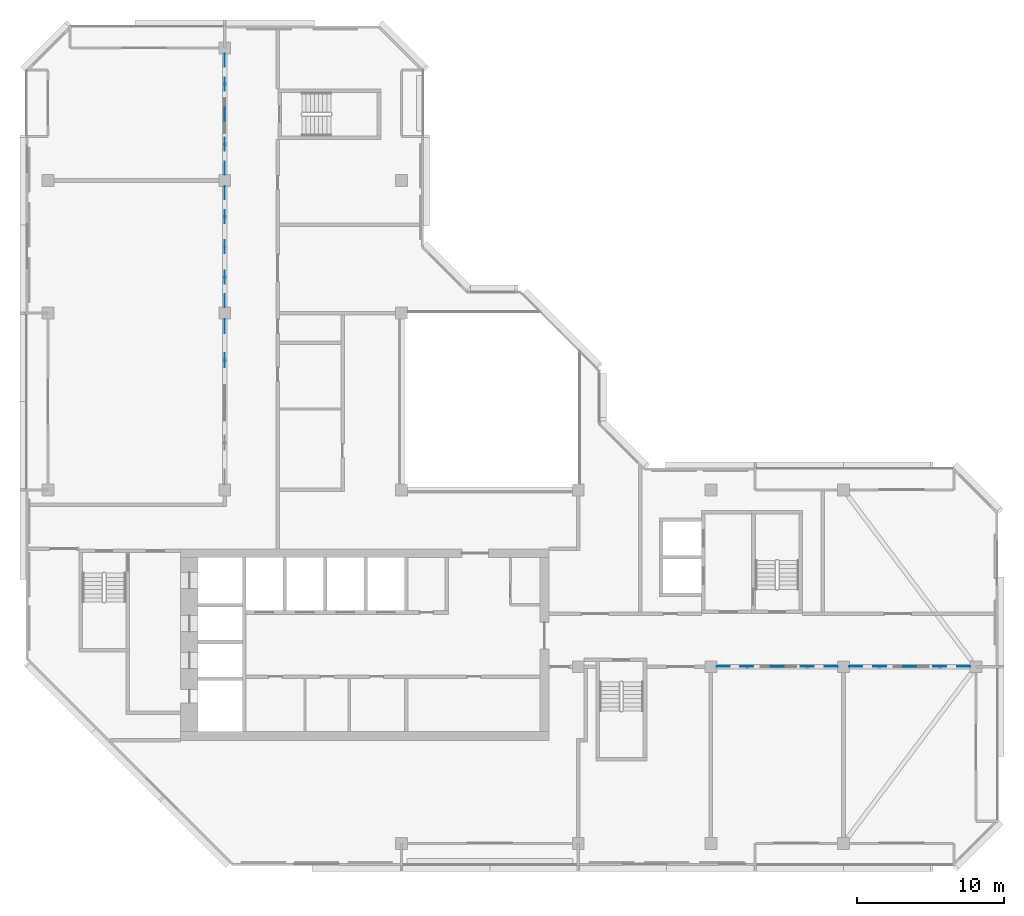
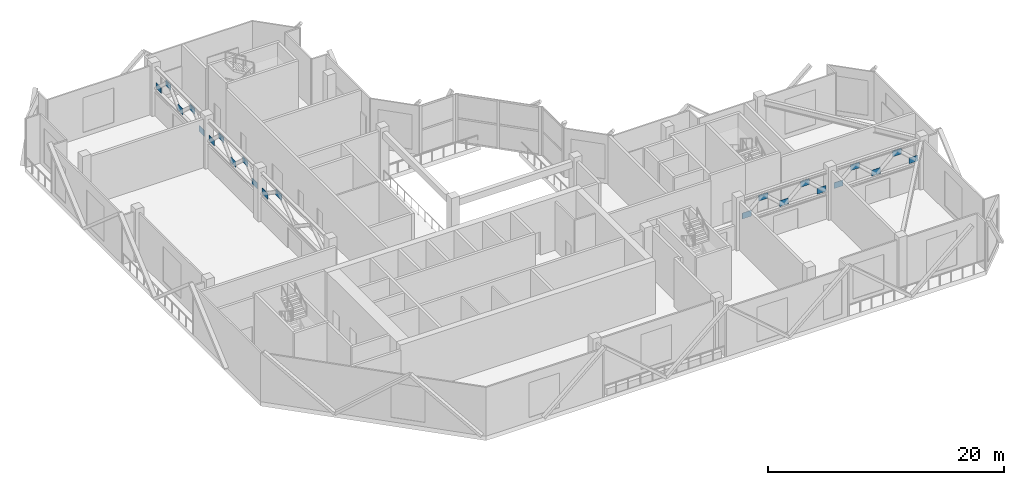
# One storey, part 10 of 13: 22 discrete accessories.
"""IFC4 building model written with IfcOpenShell, lengths in metres."""

from ifc_helpers import new_model, si_unit, direction, frame, origin, place, context, subcontext, project, spatial, polyline, outline, extrude, material, layer, layer_set, type_object, element, save


model = new_model("IFC4")

# Units and contexts
model_context = context("Model", 3, precision=1e-05, world=origin(), true_north=direction((0.0, 1.0)))
body_context = subcontext(model_context, "Body", "Model", "MODEL_VIEW")
ifc_project = project(units=[si_unit("LENGTHUNIT", "METRE"), si_unit("AREAUNIT", "SQUARE_METRE"), si_unit("VOLUMEUNIT", "CUBIC_METRE"), si_unit("PLANEANGLEUNIT", "RADIAN"), si_unit("MASSUNIT", "GRAM", prefix="KILO")], contexts=[model_context])

# Site, building, storey
site_placement = place(None, origin())
site = spatial("IfcSite", under=ifc_project, at=site_placement, CompositionType="ELEMENT")
building_placement = place(site_placement, origin())
building = spatial("IfcBuilding", under=site, at=building_placement, Name="Chenar Terraces", CompositionType="ELEMENT")
storey_placement = place(building_placement, frame((0.0, 0.0, 322.14990234375)))
storey = spatial("IfcBuildingStorey", under=building, at=storey_placement, Name="L76", CompositionType="ELEMENT", Elevation=322.14990234375)

# Discrete accessories
ifc_material = material(Name="Structural steel S355", Category="steel")
ifc_layer = layer(ifc_material, 0.02490234375)
ifc_layer_set = layer_set([ifc_layer], Name="Structural steel S355")
discrete_accessory_type = type_object("IfcDiscreteAccessoryType", Name="Gusset plate 25 S355", PredefinedType="BRACKET", material=ifc_layer_set)
placement_1 = place(storey_placement, frame((0.0, 0.0, 2.800048828125)))
element("IfcDiscreteAccessory", 1, at=placement_1, inside=storey, type_object=discrete_accessory_type, Name="Gusset plate L76 A1 node 0", PredefinedType="BRACKET", context=body_context, shape_type="SweptSolid", body=[
    extrude(outline(polyline([(45.39990234375, 11.987548828125), (46.279296875, 11.987548828125), (46.279296875, 12.012451171875), (45.39990234375, 12.012451171875), (45.39990234375, 11.987548828125)])), origin(), (0.0, 0.0, 1.0), 0.610107421875),
])
placement_2 = place(storey_placement, frame((0.0, 0.0, 4.090087890625)))
element("IfcDiscreteAccessory", 2, at=placement_2, inside=storey, type_object=discrete_accessory_type, Name="Gusset plate L76 A1 node 1", PredefinedType="BRACKET", context=body_context, shape_type="SweptSolid", body=[
    extrude(outline(polyline([(47.010498046875, 11.987548828125), (47.8896484375, 11.987548828125), (47.8896484375, 12.012451171875), (47.010498046875, 12.012451171875), (47.010498046875, 11.987548828125)])), origin(), (0.0, 0.0, 1.0), 0.610107421875),
])
element("IfcDiscreteAccessory", 3, at=placement_1, inside=storey, type_object=discrete_accessory_type, Name="Gusset plate L76 A1 node 2", PredefinedType="BRACKET", context=body_context, shape_type="SweptSolid", body=[
    extrude(outline(polyline([(49.060302734375, 11.987548828125), (49.939697265625, 11.987548828125), (49.939697265625, 12.012451171875), (49.060302734375, 12.012451171875), (49.060302734375, 11.987548828125)])), origin(), (0.0, 0.0, 1.0), 0.610107421875),
])
element("IfcDiscreteAccessory", 4, at=placement_2, inside=storey, type_object=discrete_accessory_type, Name="Gusset plate L76 A1 node 3", PredefinedType="BRACKET", context=body_context, shape_type="SweptSolid", body=[
    extrude(outline(polyline([(51.1103515625, 11.987548828125), (51.989501953125, 11.987548828125), (51.989501953125, 12.012451171875), (51.1103515625, 12.012451171875), (51.1103515625, 11.987548828125)])), origin(), (0.0, 0.0, 1.0), 0.610107421875),
])
element("IfcDiscreteAccessory", 5, at=placement_1, inside=storey, type_object=discrete_accessory_type, Name="Gusset plate L76 A1 node 4", PredefinedType="BRACKET", context=body_context, shape_type="SweptSolid", body=[
    extrude(outline(polyline([(52.720703125, 11.987548828125), (53.60009765625, 11.987548828125), (53.60009765625, 12.012451171875), (52.720703125, 12.012451171875), (52.720703125, 11.987548828125)])), origin(), (0.0, 0.0, 1.0), 0.610107421875),
])
element("IfcDiscreteAccessory", 6, at=placement_1, inside=storey, type_object=discrete_accessory_type, Name="Gusset plate L76 A2 node 0", PredefinedType="BRACKET", context=body_context, shape_type="SweptSolid", body=[
    extrude(outline(polyline([(54.39990234375, 11.987548828125), (55.279296875, 11.987548828125), (55.279296875, 12.012451171875), (54.39990234375, 12.012451171875), (54.39990234375, 11.987548828125)])), origin(), (0.0, 0.0, 1.0), 0.610107421875),
])
element("IfcDiscreteAccessory", 7, at=placement_2, inside=storey, type_object=discrete_accessory_type, Name="Gusset plate L76 A2 node 1", PredefinedType="BRACKET", context=body_context, shape_type="SweptSolid", body=[
    extrude(outline(polyline([(56.010498046875, 11.987548828125), (56.8896484375, 11.987548828125), (56.8896484375, 12.012451171875), (56.010498046875, 12.012451171875), (56.010498046875, 11.987548828125)])), origin(), (0.0, 0.0, 1.0), 0.610107421875),
])
element("IfcDiscreteAccessory", 8, at=placement_1, inside=storey, type_object=discrete_accessory_type, Name="Gusset plate L76 A2 node 2", PredefinedType="BRACKET", context=body_context, shape_type="SweptSolid", body=[
    extrude(outline(polyline([(58.060302734375, 11.987548828125), (58.939697265625, 11.987548828125), (58.939697265625, 12.012451171875), (58.060302734375, 12.012451171875), (58.060302734375, 11.987548828125)])), origin(), (0.0, 0.0, 1.0), 0.610107421875),
])
element("IfcDiscreteAccessory", 9, at=placement_2, inside=storey, type_object=discrete_accessory_type, Name="Gusset plate L76 A2 node 3", PredefinedType="BRACKET", context=body_context, shape_type="SweptSolid", body=[
    extrude(outline(polyline([(60.1103515625, 11.987548828125), (60.989501953125, 11.987548828125), (60.989501953125, 12.012451171875), (60.1103515625, 12.012451171875), (60.1103515625, 11.987548828125)])), origin(), (0.0, 0.0, 1.0), 0.610107421875),
])
element("IfcDiscreteAccessory", 10, at=placement_1, inside=storey, type_object=discrete_accessory_type, Name="Gusset plate L76 A2 node 4", PredefinedType="BRACKET", context=body_context, shape_type="SweptSolid", body=[
    extrude(outline(polyline([(61.720703125, 11.987548828125), (62.60009765625, 11.987548828125), (62.60009765625, 12.012451171875), (61.720703125, 12.012451171875), (61.720703125, 11.987548828125)])), origin(), (0.0, 0.0, 1.0), 0.610107421875),
])
element("IfcDiscreteAccessory", 11, at=placement_2, inside=storey, type_object=discrete_accessory_type, Name="Gusset plate L76 B1 node 3", PredefinedType="BRACKET", context=body_context, shape_type="SweptSolid", body=[
    extrude(outline(polyline([(12.012451171875, 32.3095703125), (12.012451171875, 33.29052734375), (11.987548828125, 33.29052734375), (11.987548828125, 32.3095703125), (12.012451171875, 32.3095703125)])), origin(), (0.0, 0.0, 1.0), 0.610107421875),
])
element("IfcDiscreteAccessory", 12, at=placement_1, inside=storey, type_object=discrete_accessory_type, Name="Gusset plate L76 B1 node 4", PredefinedType="BRACKET", context=body_context, shape_type="SweptSolid", body=[
    extrude(outline(polyline([(12.012451171875, 34.618896484375), (12.012451171875, 35.60009765625), (11.987548828125, 35.60009765625), (11.987548828125, 34.618896484375), (12.012451171875, 34.618896484375)])), origin(), (0.0, 0.0, 1.0), 0.610107421875),
])
element("IfcDiscreteAccessory", 13, at=placement_1, inside=storey, type_object=discrete_accessory_type, Name="Gusset plate L76 B2 node 0", PredefinedType="BRACKET", context=body_context, shape_type="SweptSolid", body=[
    extrude(outline(polyline([(12.012451171875, 36.39990234375), (12.012451171875, 37.279296875), (11.987548828125, 37.279296875), (11.987548828125, 36.39990234375), (12.012451171875, 36.39990234375)])), origin(), (0.0, 0.0, 1.0), 0.610107421875),
])
element("IfcDiscreteAccessory", 14, at=placement_2, inside=storey, type_object=discrete_accessory_type, Name="Gusset plate L76 B2 node 1", PredefinedType="BRACKET", context=body_context, shape_type="SweptSolid", body=[
    extrude(outline(polyline([(12.012451171875, 38.010498046875), (12.012451171875, 38.8896484375), (11.987548828125, 38.8896484375), (11.987548828125, 38.010498046875), (12.012451171875, 38.010498046875)])), origin(), (0.0, 0.0, 1.0), 0.610107421875),
])
element("IfcDiscreteAccessory", 15, at=placement_1, inside=storey, type_object=discrete_accessory_type, Name="Gusset plate L76 B2 node 2", PredefinedType="BRACKET", context=body_context, shape_type="SweptSolid", body=[
    extrude(outline(polyline([(12.012451171875, 40.060302734375), (12.012451171875, 40.939697265625), (11.987548828125, 40.939697265625), (11.987548828125, 40.060302734375), (12.012451171875, 40.060302734375)])), origin(), (0.0, 0.0, 1.0), 0.610107421875),
])
element("IfcDiscreteAccessory", 16, at=placement_2, inside=storey, type_object=discrete_accessory_type, Name="Gusset plate L76 B2 node 3", PredefinedType="BRACKET", context=body_context, shape_type="SweptSolid", body=[
    extrude(outline(polyline([(12.012451171875, 42.1103515625), (12.012451171875, 42.989501953125), (11.987548828125, 42.989501953125), (11.987548828125, 42.1103515625), (12.012451171875, 42.1103515625)])), origin(), (0.0, 0.0, 1.0), 0.610107421875),
])
element("IfcDiscreteAccessory", 17, at=placement_1, inside=storey, type_object=discrete_accessory_type, Name="Gusset plate L76 B2 node 4", PredefinedType="BRACKET", context=body_context, shape_type="SweptSolid", body=[
    extrude(outline(polyline([(12.012451171875, 43.720703125), (12.012451171875, 44.60009765625), (11.987548828125, 44.60009765625), (11.987548828125, 43.720703125), (12.012451171875, 43.720703125)])), origin(), (0.0, 0.0, 1.0), 0.610107421875),
])
element("IfcDiscreteAccessory", 18, at=placement_1, inside=storey, type_object=discrete_accessory_type, Name="Gusset plate L76 B3 node 0", PredefinedType="BRACKET", context=body_context, shape_type="SweptSolid", body=[
    extrude(outline(polyline([(12.012451171875, 45.39990234375), (12.012451171875, 46.279296875), (11.987548828125, 46.279296875), (11.987548828125, 45.39990234375), (12.012451171875, 45.39990234375)])), origin(), (0.0, 0.0, 1.0), 0.610107421875),
])
element("IfcDiscreteAccessory", 19, at=placement_2, inside=storey, type_object=discrete_accessory_type, Name="Gusset plate L76 B3 node 1", PredefinedType="BRACKET", context=body_context, shape_type="SweptSolid", body=[
    extrude(outline(polyline([(12.012451171875, 47.010498046875), (12.012451171875, 47.8896484375), (11.987548828125, 47.8896484375), (11.987548828125, 47.010498046875), (12.012451171875, 47.010498046875)])), origin(), (0.0, 0.0, 1.0), 0.610107421875),
])
element("IfcDiscreteAccessory", 20, at=placement_1, inside=storey, type_object=discrete_accessory_type, Name="Gusset plate L76 B3 node 2", PredefinedType="BRACKET", context=body_context, shape_type="SweptSolid", body=[
    extrude(outline(polyline([(12.012451171875, 49.060302734375), (12.012451171875, 49.939697265625), (11.987548828125, 49.939697265625), (11.987548828125, 49.060302734375), (12.012451171875, 49.060302734375)])), origin(), (0.0, 0.0, 1.0), 0.610107421875),
])
element("IfcDiscreteAccessory", 21, at=placement_2, inside=storey, type_object=discrete_accessory_type, Name="Gusset plate L76 B3 node 3", PredefinedType="BRACKET", context=body_context, shape_type="SweptSolid", body=[
    extrude(outline(polyline([(12.012451171875, 51.1103515625), (12.012451171875, 51.989501953125), (11.987548828125, 51.989501953125), (11.987548828125, 51.1103515625), (12.012451171875, 51.1103515625)])), origin(), (0.0, 0.0, 1.0), 0.610107421875),
])
element("IfcDiscreteAccessory", 22, at=placement_1, inside=storey, type_object=discrete_accessory_type, Name="Gusset plate L76 B3 node 4", PredefinedType="BRACKET", context=body_context, shape_type="SweptSolid", body=[
    extrude(outline(polyline([(12.012451171875, 52.720703125), (12.012451171875, 53.60009765625), (11.987548828125, 53.60009765625), (11.987548828125, 52.720703125), (12.012451171875, 52.720703125)])), origin(), (0.0, 0.0, 1.0), 0.610107421875),
])

save(model, "model.ifc")
